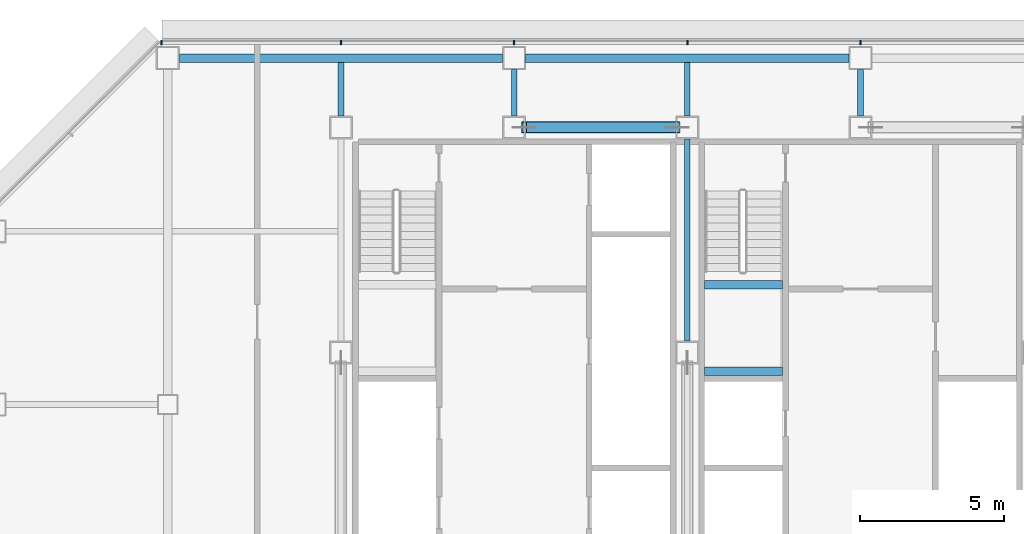
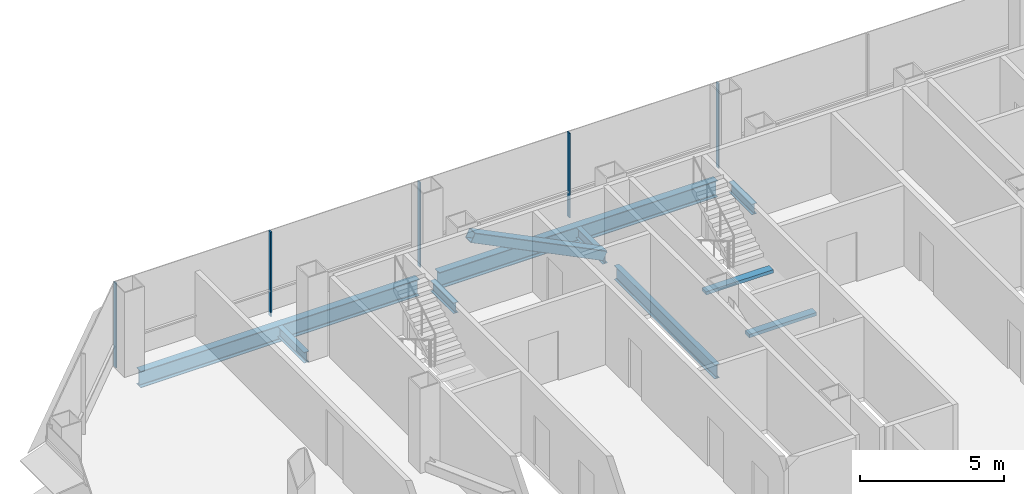
# One storey, part 12 of 25: 9 beams, 6 members, 1 element without a shape of its own.
"""IFC4 building model written with IfcOpenShell, lengths in metres."""

from ifc_helpers import new_model, si_unit, direction, frame, origin, origin_2d, place, context, subcontext, project, spatial, rectangle, hollow_rectangle, i_section, extrude, material, material_profile, profile_set, type_object, element, aggregate, save


model = new_model("IFC4")

# Units and contexts
model_context = context("Model", 3, precision=1e-05, world=origin(), true_north=direction((0.0, 1.0)))
body_context = subcontext(model_context, "Body", "Model", "MODEL_VIEW")
ifc_project = project(units=[si_unit("LENGTHUNIT", "METRE"), si_unit("AREAUNIT", "SQUARE_METRE"), si_unit("VOLUMEUNIT", "CUBIC_METRE"), si_unit("PLANEANGLEUNIT", "RADIAN"), si_unit("MASSUNIT", "GRAM", prefix="KILO")], contexts=[model_context])

# Site, building, storey
site_placement = place(None, origin())
site = spatial("IfcSite", under=ifc_project, at=site_placement, CompositionType="ELEMENT")
building_placement = place(site_placement, origin())
building = spatial("IfcBuilding", under=site, at=building_placement, Name="Sorahane Residences", CompositionType="ELEMENT")
storey_placement = place(building_placement, frame((0.0, 0.0, 99.800048828125)))
storey = spatial("IfcBuildingStorey", under=building, at=storey_placement, Name="L21", CompositionType="ELEMENT", Elevation=99.800048828125)

# Member
ifc_material_1 = material(Name="Steel Q355B", Category="steel")
ifc_material_profile_1 = material_profile(ifc_material_1, hollow_rectangle(XDim=0.39990234375, YDim=0.39990234375, WallThickness=0.02001953125, InnerFilletRadius=0.010009765625, OuterFilletRadius=0.030029296875, at=origin_2d()), Name="RHS 400x400x20")
ifc_profile_set_1 = profile_set([ifc_material_profile_1], Name="Steel Q355B")
member_type_1 = type_object("IfcMemberType", Name="Core brace RHS 400x400x20 Q355B", PredefinedType="BRACE", material=ifc_profile_set_1)
member_1_placement = place(storey_placement, frame((17.653076171875, 45.60009765625, 0.173583984375), z_axis=(-0.896480070819, 0.0, 0.443084058192), x_axis=(0.0, -1.0, 0.0)))
element("IfcMember", 1, at=member_1_placement, inside=storey, type_object=member_type_1, Name="Core brace L21 y45.6-2", PredefinedType="BRACE", context=body_context, shape_type="SweptSolid", body=[
    extrude(hollow_rectangle(XDim=0.39990234375, YDim=0.39990234375, WallThickness=0.02001953125, InnerFilletRadius=0.010009765625, OuterFilletRadius=0.030029296875, at=origin_2d()), origin(), (0.0, 0.0, 1.0), 5.9189453125),
])

# Curtain wall, members
ifc_material_2 = material(Name="Dark low-e glass and black anodised aluminium", Category="aluminium")
curtain_wall_type = type_object("IfcCurtainWallType", Name="Curtain wall CW-1 Typical unitised wall", PredefinedType="NOTDEFINED", material=ifc_material_2)
curtain_wall_placement = place(storey_placement, origin())
curtain_wall = element("IfcCurtainWall", 2, at=curtain_wall_placement, inside=storey, type_object=curtain_wall_type, Name="CW-1 curtain wall L21 N1", PredefinedType="NOTDEFINED")
ifc_material_3 = material(Name="Black anodised aluminium", Category="aluminium")
ifc_material_profile_2 = material_profile(ifc_material_3, rectangle(XDim=0.159912109375, YDim=0.050048828125, at=origin_2d()), Name="Curtain wall mullion CW-1 black anodised aluminium 50x160")
ifc_profile_set_2 = profile_set([ifc_material_profile_2], Name="Black anodised aluminium")
member_type_2 = type_object("IfcMemberType", Name="Curtain wall mullion CW-1 black anodised aluminium 50x160", PredefinedType="MULLION", material=ifc_profile_set_2)
member_2_placement = place(storey_placement, frame((24.0, 48.5400390625, -0.179931640625), z_axis=(0.0, 0.0, 1.0), x_axis=(0.0, 1.0, 0.0)))
member_2 = element("IfcMember", 3, at=member_2_placement, type_object=member_type_2, Name="CW-1 mullion L21 N1.6", PredefinedType="MULLION", context=body_context, shape_type="SweptSolid", body=[
    extrude(rectangle(XDim=0.159912109375, YDim=0.050048828125, at=origin_2d()), origin(), (0.0, 0.0, 1.0), 3.599853515625),
])
member_3_placement = place(storey_placement, frame((18.0, 48.5400390625, -0.179931640625), z_axis=(0.0, 0.0, 1.0), x_axis=(0.0, 1.0, 0.0)))
member_3 = element("IfcMember", 4, at=member_3_placement, type_object=member_type_2, Name="CW-1 mullion L21 N1.7", PredefinedType="MULLION", context=body_context, shape_type="SweptSolid", body=[
    extrude(rectangle(XDim=0.159912109375, YDim=0.050048828125, at=origin_2d()), origin(), (0.0, 0.0, 1.0), 3.599853515625),
])
member_4_placement = place(storey_placement, frame((12.0, 48.5400390625, -0.179931640625), z_axis=(0.0, 0.0, 1.0), x_axis=(0.0, 1.0, 0.0)))
member_4 = element("IfcMember", 5, at=member_4_placement, type_object=member_type_2, Name="CW-1 mullion L21 N1.8", PredefinedType="MULLION", context=body_context, shape_type="SweptSolid", body=[
    extrude(rectangle(XDim=0.159912109375, YDim=0.050048828125, at=origin_2d()), origin(), (0.0, 0.0, 1.0), 3.599853515625),
])
member_5_placement = place(storey_placement, frame((6.0, 48.5400390625, -0.179931640625), z_axis=(0.0, 0.0, 1.0), x_axis=(0.0, 1.0, 0.0)))
member_5 = element("IfcMember", 6, at=member_5_placement, type_object=member_type_2, Name="CW-1 mullion L21 N1.9", PredefinedType="MULLION", context=body_context, shape_type="SweptSolid", body=[
    extrude(rectangle(XDim=0.159912109375, YDim=0.050048828125, at=origin_2d()), origin(), (0.0, 0.0, 1.0), 3.599853515625),
])
member_6_placement = place(storey_placement, frame((-0.2236328125, 48.5400390625, -0.179931640625), z_axis=(0.0, 0.0, 1.0), x_axis=(0.0, 1.0, 0.0)))
member_6 = element("IfcMember", 7, at=member_6_placement, type_object=member_type_2, Name="CW-1 mullion L21 N1.10", PredefinedType="MULLION", context=body_context, shape_type="SweptSolid", body=[
    extrude(rectangle(XDim=0.159912109375, YDim=0.050048828125, at=origin_2d()), origin(), (0.0, 0.0, 1.0), 3.599853515625),
])
aggregate(curtain_wall, [member_2, member_3, member_4, member_5, member_6])

# Beams
ifc_material_4 = material(Name="Concrete C40", Category="concrete")
ifc_material_profile_3 = material_profile(ifc_material_4, rectangle(XDim=0.300048828125, YDim=0.139892578125, at=origin_2d()), Name="300x140")
ifc_profile_set_3 = profile_set([ifc_material_profile_3], Name="Concrete C40")
beam_type_1 = type_object("IfcBeamType", Name="RC landing beam 300 x 140 Concrete C40", PredefinedType="BEAM", material=ifc_profile_set_3)
for number, where, z_axis, x_axis, name in (
    (8, (18.60009765625, 37.14990234375, 1.530029296875), (1.0, 0.0, 0.0), (0.0, 1.0, 0.0), "Landing beam"),
    (9, (18.60009765625, 40.14990234375, 1.530029296875), (1.0, 0.0, 0.0), (0.0, 1.0, 0.0), "Landing beam"),
):
    element("IfcBeam", number, at=place(storey_placement, frame(where, z_axis=z_axis, x_axis=x_axis)), inside=storey, type_object=beam_type_1, Name=name, PredefinedType="BEAM", context=body_context, shape_type="SweptSolid", body=[
        extrude(rectangle(XDim=0.300048828125, YDim=0.139892578125, at=origin_2d()), origin(), (0.0, 0.0, 1.0), 2.699951171875),
    ])
ifc_material_5 = material(Name="Steel Q355B", Category="steel")
ifc_material_profile_4 = material_profile(ifc_material_5, i_section(OverallWidth=0.199951171875, OverallDepth=0.449951171875, WebThickness=0.009033203125, FlangeThickness=0.013916015625, FilletRadius=0.02001953125, at=origin_2d()), Name="HN 450x200x9x14")
ifc_profile_set_4 = profile_set([ifc_material_profile_4], Name="Steel Q355B")
beam_type_2 = type_object("IfcBeamType", Name="Steel floor beam HN 450x200x9x14 Q355B", PredefinedType="BEAM", material=ifc_profile_set_4)
beam_1_placement = place(storey_placement, frame((6.0, 46.0, -0.405029296875), z_axis=(0.0, 1.0, 0.0), x_axis=(-1.0, 0.0, 0.0)))
element("IfcBeam", 10, at=beam_1_placement, inside=storey, type_object=beam_type_2, Name="Beam L21 033", PredefinedType="BEAM", context=body_context, shape_type="SweptSolid", body=[
    extrude(i_section(OverallWidth=0.199951171875, OverallDepth=0.449951171875, WebThickness=0.009033203125, FlangeThickness=0.013916015625, FilletRadius=0.02001953125, at=origin_2d()), origin(), (0.0, 0.0, 1.0), 1.85009765625),
])
beam_2_placement = place(storey_placement, frame((12.0, 46.0, -0.405029296875), z_axis=(0.0, 1.0, 0.0), x_axis=(-1.0, 0.0, 0.0)))
element("IfcBeam", 11, at=beam_2_placement, inside=storey, type_object=beam_type_2, Name="Beam L21 035", PredefinedType="BEAM", context=body_context, shape_type="SweptSolid", body=[
    extrude(i_section(OverallWidth=0.199951171875, OverallDepth=0.449951171875, WebThickness=0.009033203125, FlangeThickness=0.013916015625, FilletRadius=0.02001953125, at=origin_2d()), origin(), (0.0, 0.0, 1.0), 1.60009765625),
])
beam_3_placement = place(storey_placement, frame((18.0, 46.0, -0.405029296875), z_axis=(0.0, 1.0, 0.0), x_axis=(-1.0, 0.0, 0.0)))
element("IfcBeam", 12, at=beam_3_placement, inside=storey, type_object=beam_type_2, Name="Beam L21 041", PredefinedType="BEAM", context=body_context, shape_type="SweptSolid", body=[
    extrude(i_section(OverallWidth=0.199951171875, OverallDepth=0.449951171875, WebThickness=0.009033203125, FlangeThickness=0.013916015625, FilletRadius=0.02001953125, at=origin_2d()), origin(), (0.0, 0.0, 1.0), 1.85009765625),
])
beam_4_placement = place(storey_placement, frame((24.0, 46.0, -0.405029296875), z_axis=(0.0, 1.0, 0.0), x_axis=(-1.0, 0.0, 0.0)))
element("IfcBeam", 13, at=beam_4_placement, inside=storey, type_object=beam_type_2, Name="Beam L21 043", PredefinedType="BEAM", context=body_context, shape_type="SweptSolid", body=[
    extrude(i_section(OverallWidth=0.199951171875, OverallDepth=0.449951171875, WebThickness=0.009033203125, FlangeThickness=0.013916015625, FilletRadius=0.02001953125, at=origin_2d()), origin(), (0.0, 0.0, 1.0), 1.60009765625),
])
ifc_material_6 = material(Name="Steel Q355B", Category="steel")
ifc_material_profile_5 = material_profile(ifc_material_6, i_section(OverallWidth=0.199951171875, OverallDepth=0.60009765625, WebThickness=0.010986328125, FlangeThickness=0.01708984375, FilletRadius=0.02392578125, at=origin_2d()), Name="HN 600x200x11x17")
ifc_profile_set_5 = profile_set([ifc_material_profile_5], Name="Steel Q355B")
beam_type_3 = type_object("IfcBeamType", Name="Steel floor beam HN 600x200x11x17 Q355B", PredefinedType="BEAM", material=ifc_profile_set_5)
beam_5_placement = place(storey_placement, frame((18.0, 38.199951171875, -0.47998046875), z_axis=(0.0, 1.0, 0.0), x_axis=(-1.0, 0.0, 0.0)))
element("IfcBeam", 14, at=beam_5_placement, inside=storey, type_object=beam_type_3, Name="Beam L21 040", PredefinedType="BEAM", context=body_context, shape_type="SweptSolid", body=[
    extrude(i_section(OverallWidth=0.199951171875, OverallDepth=0.60009765625, WebThickness=0.010986328125, FlangeThickness=0.01708984375, FilletRadius=0.02392578125, at=origin_2d()), origin(), (0.0, 0.0, 1.0), 7.0),
])
ifc_material_7 = material(Name="Steel Q355B", Category="steel")
ifc_material_profile_6 = material_profile(ifc_material_7, i_section(OverallWidth=0.300048828125, OverallDepth=0.699951171875, WebThickness=0.012939453125, FlangeThickness=0.02392578125, FilletRadius=0.028076171875, at=origin_2d()), Name="HN 700x300x13x24")
ifc_profile_set_6 = profile_set([ifc_material_profile_6], Name="Steel Q355B")
beam_type_4 = type_object("IfcBeamType", Name="Steel floor beam HN 700x300x13x24 Q355B", PredefinedType="BEAM", material=ifc_profile_set_6)
for number, where, z_axis, x_axis, name in (
    (15, (0.39990234375, 48.0, -0.530029296875), (1.0, 0.0, 0.0), (0.0, 1.0, 0.0), "Beam L21 015"),
    (16, (12.39990234375, 48.0, -0.530029296875), (1.0, 0.0, 0.0), (0.0, 1.0, 0.0), "Beam L21 016"),
):
    element("IfcBeam", number, at=place(storey_placement, frame(where, z_axis=z_axis, x_axis=x_axis)), inside=storey, type_object=beam_type_4, Name=name, PredefinedType="BEAM", context=body_context, shape_type="SweptSolid", body=[
        extrude(i_section(OverallWidth=0.300048828125, OverallDepth=0.699951171875, WebThickness=0.012939453125, FlangeThickness=0.02392578125, FilletRadius=0.028076171875, at=origin_2d()), origin(), (0.0, 0.0, 1.0), 11.2001953125),
    ])

save(model, "model.ifc")
